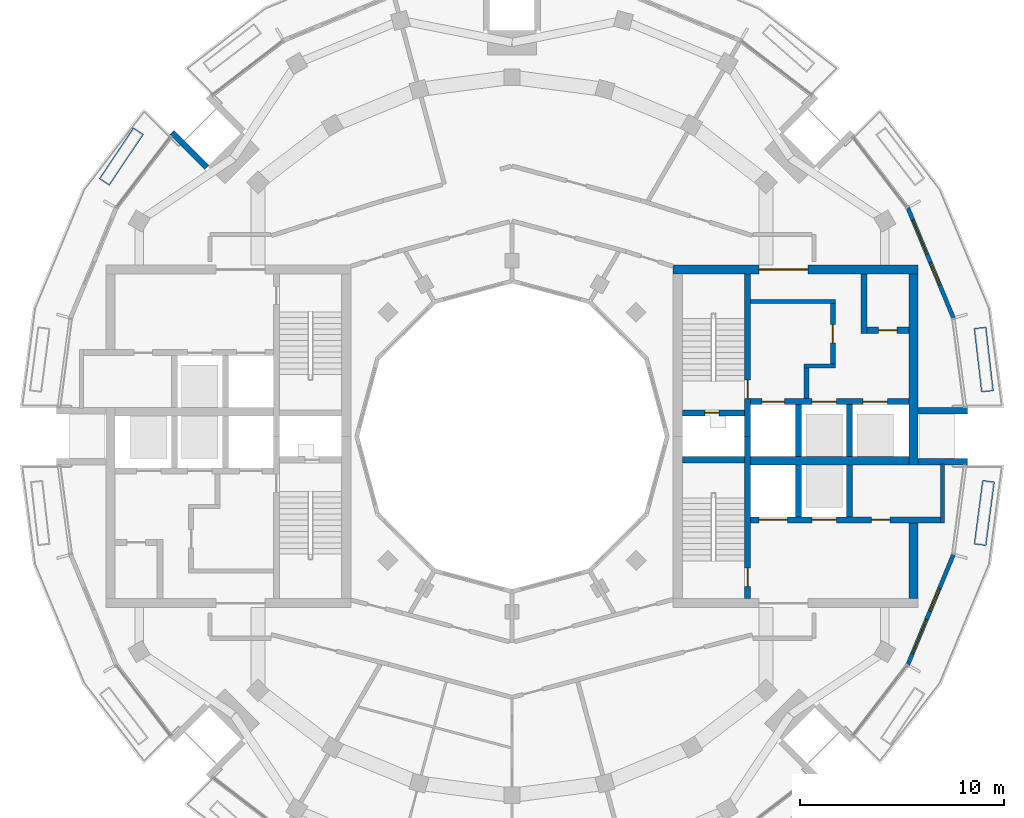
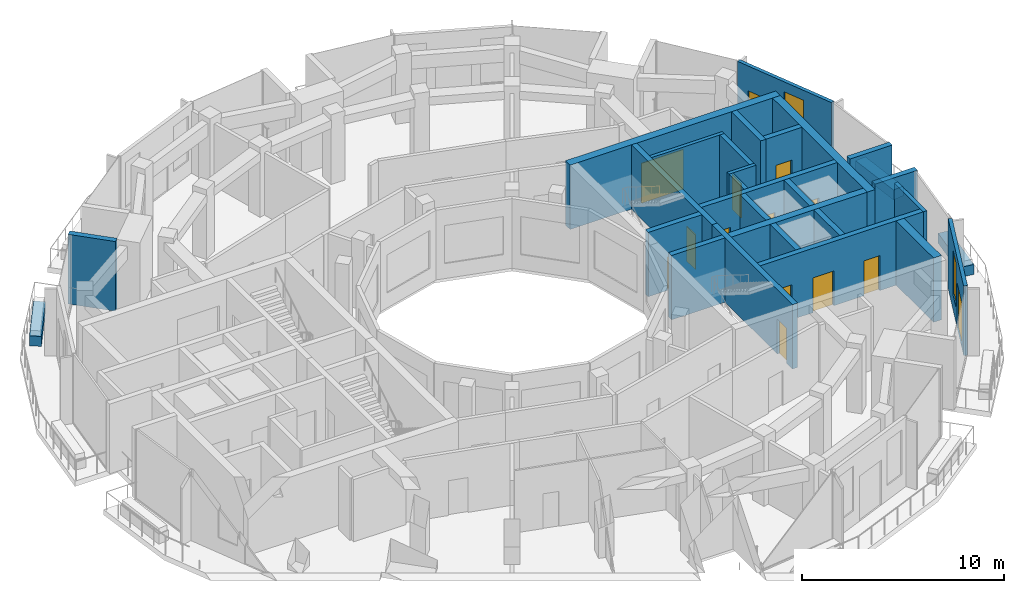
# One storey, part 11 of 16: 29 walls, 14 doors, 2 windows, 16 openings.
"""IFC4 building model written with IfcOpenShell, lengths in metres."""

from ifc_helpers import new_model, si_unit, direction, frame, frame_2d, origin, place, context, subcontext, project, spatial, rectangle, extrude, material, layer, layer_set, type_object, element, fill, save


model = new_model("IFC4")

# Units and contexts
model_context = context("Model", 3, precision=1e-05, world=origin(), true_north=direction((0.0, 1.0)))
body_context = subcontext(model_context, "Body", "Model", "MODEL_VIEW")
ifc_project = project(units=[si_unit("LENGTHUNIT", "METRE"), si_unit("AREAUNIT", "SQUARE_METRE"), si_unit("VOLUMEUNIT", "CUBIC_METRE"), si_unit("PLANEANGLEUNIT", "RADIAN"), si_unit("MASSUNIT", "GRAM", prefix="KILO")], contexts=[model_context])

# Site, building, storey
site_placement = place(None, origin())
site = spatial("IfcSite", under=ifc_project, at=site_placement, CompositionType="ELEMENT")
building_placement = place(site_placement, origin())
building = spatial("IfcBuilding", under=site, at=building_placement, Name="Torre Brocal", CompositionType="ELEMENT")
storey_placement = place(building_placement, frame((0.0, 0.0, 292.5)))
storey = spatial("IfcBuildingStorey", under=building, at=storey_placement, Name="L67", CompositionType="ELEMENT", Elevation=292.5)

# Walls
ifc_material_1 = material(Name="Masonry block", Category="masonry")
ifc_layer_1 = layer(ifc_material_1, 0.199951171875)
ifc_layer_set_1 = layer_set([ifc_layer_1], Name="Masonry block")
wall_type_1 = type_object("IfcWallType", Name="CORE PARTITION 200", PredefinedType="PARTITIONING", material=ifc_layer_set_1)
wall_1_placement = place(storey_placement, frame((101.10009765625, 70.75, 0.0), z_axis=(0.0, 0.0, 1.0), x_axis=(0.0, 1.0, 0.0)))
element("IfcWall", 1, at=wall_1_placement, inside=storey, type_object=wall_type_1, Name="Wall CP200", PredefinedType="PARTITIONING", context=body_context, shape_type="SweptSolid", body=[
    extrude(rectangle(XDim=2.89990234375, YDim=0.199951171875, at=frame_2d((1.449951171875, 0.0))), origin(), (0.0, 0.0, 1.0), 3.8798828125),
])
ifc_material_2 = material(Name="Concrete C50", Category="concrete")
ifc_layer_2 = layer(ifc_material_2, 0.199951171875)
ifc_layer_set_2 = layer_set([ifc_layer_2], Name="Concrete C50")
wall_type_2 = type_object("IfcWallType", Name="CORE WALL 200 C50", PredefinedType="SHEAR", material=ifc_layer_set_2)
wall_2_placement = place(storey_placement, frame((91.699951171875, 81.60009765625, 0.0), z_axis=(0.0, 0.0, 1.0), x_axis=(1.0, 0.0, 0.0)))
element("IfcWall", 2, at=wall_2_placement, inside=storey, type_object=wall_type_2, Name="Wall CW200-50", PredefinedType="SHEAR", context=body_context, shape_type="SweptSolid", body=[
    extrude(rectangle(XDim=4.150146484375, YDim=0.199951171875, at=frame_2d((2.0751953125, 0.0))), origin(), (0.0, 0.0, 1.0), 3.8798828125),
])
wall_3_placement = place(storey_placement, frame((94.300048828125, 78.449951171875, 0.0), z_axis=(0.0, 0.0, 1.0), x_axis=(1.0, 0.0, 0.0)))
element("IfcWall", 3, at=wall_3_placement, inside=storey, type_object=wall_type_2, Name="Wall CW200-50", PredefinedType="SHEAR", context=body_context, shape_type="SweptSolid", body=[
    extrude(rectangle(XDim=1.550048828125, YDim=0.199951171875, at=frame_2d((0.77490234375, 0.0))), origin(), (0.0, 0.0, 1.0), 3.8798828125),
])

# Wall, opening, door
ifc_material_3 = material(Name="Concrete C50", Category="concrete")
ifc_layer_3 = layer(ifc_material_3, 0.25)
ifc_layer_set_3 = layer_set([ifc_layer_3], Name="Concrete C50")
wall_type_3 = type_object("IfcWallType", Name="CORE WALL 250 C50", PredefinedType="SHEAR", material=ifc_layer_set_3)
wall_4_placement = place(storey_placement, frame((95.72509765625, 78.550048828125, 0.0), z_axis=(0.0, 0.0, 1.0), x_axis=(0.0, 1.0, 0.0)))
wall_4 = element("IfcWall", 4, at=wall_4_placement, inside=storey, type_object=wall_type_3, Name="Wall CW250-50", PredefinedType="SHEAR", context=body_context, shape_type="SweptSolid", body=[
    extrude(rectangle(XDim=2.949951171875, YDim=0.25, at=frame_2d((1.47509765625, 0.0))), origin(), (0.0, 0.0, 1.0), 3.8798828125),
])
opening_1_placement = place(wall_4_placement, frame((1.02490234375, 0.0, 0.0)))
opening_1 = element("IfcOpeningElement", 5, at=opening_1_placement, cuts=wall_4, Name="Opening E-D19", PredefinedType="OPENING", context=body_context, shape_type="SweptSolid", body=[
    extrude(rectangle(XDim=0.89990234375, YDim=2.10009765625, at=frame_2d((0.449951171875, 1.050048828125))), frame((0.0, 0.135009765625, 0.0), z_axis=(0.0, -1.0, 0.0), x_axis=(1.0, 0.0, 0.0)), (0.0, 0.0, 1.0), 0.27001953125),
])
ifc_material_4 = material(Name="Steel A653", Category="steel")
door_type_1 = type_object("IfcDoorType", Name="LOBBY DOOR FD120 900X2100", OperationType="SINGLE_SWING_RIGHT", PredefinedType="DOOR", material=ifc_material_4)
door_1_placement = place(opening_1_placement, origin())
door_1 = element("IfcDoor", 6, at=door_1_placement, inside=storey, type_object=door_type_1, Name="Door E-D19", OperationType="SINGLE_SWING_LEFT", OverallHeight=2.10009765625, OverallWidth=0.89990234375, PredefinedType="DOOR", context=body_context, shape_type="SweptSolid", body=[
    extrude(rectangle(XDim=0.89990234375, YDim=2.10009765625, at=frame_2d((0.449951171875, 1.050048828125))), frame((0.0, 0.02490234375, 0.0), z_axis=(0.0, -1.0, 0.0), x_axis=(1.0, 0.0, 0.0)), (0.0, 0.0, 1.0), 0.050048828125),
])
fill(opening_1, door_1)

# Wall
wall_5_placement = place(storey_placement, frame((94.425048828125, 76.85009765625, 0.0), z_axis=(0.0, 0.0, 1.0), x_axis=(0.0, 1.0, 0.0)))
element("IfcWall", 7, at=wall_5_placement, inside=storey, type_object=wall_type_3, Name="Wall CW250-50", PredefinedType="SHEAR", context=body_context, shape_type="SweptSolid", body=[
    extrude(rectangle(XDim=1.5, YDim=0.25, at=frame_2d((0.75, 0.0))), origin(), (0.0, 0.0, 1.0), 3.8798828125),
])

# Wall, opening, door
ifc_material_5 = material(Name="Concrete C50", Category="concrete")
ifc_layer_4 = layer(ifc_material_5, 0.300048828125)
ifc_layer_set_4 = layer_set([ifc_layer_4], Name="Concrete C50")
wall_type_4 = type_object("IfcWallType", Name="CORE WALL 300 C50", PredefinedType="SHEAR", material=ifc_layer_set_4)
wall_6_placement = place(storey_placement, frame((91.550048828125, 75.0, 0.0), z_axis=(0.0, 0.0, 1.0), x_axis=(0.0, 1.0, 0.0)))
wall_6 = element("IfcWall", 8, at=wall_6_placement, inside=storey, type_object=wall_type_4, Name="Wall CW300-50", PredefinedType="SHEAR", context=body_context, shape_type="SweptSolid", body=[
    extrude(rectangle(XDim=7.949951171875, YDim=0.300048828125, at=frame_2d((3.97509765625, 0.0))), origin(), (0.0, 0.0, 1.0), 3.8798828125),
])
opening_2_placement = place(wall_6_placement, frame((1.85009765625, 0.0, 0.0)))
opening_2 = element("IfcOpeningElement", 9, at=opening_2_placement, cuts=wall_6, Name="Opening E-D02", PredefinedType="OPENING", context=body_context, shape_type="SweptSolid", body=[
    extrude(rectangle(XDim=0.89990234375, YDim=2.10009765625, at=frame_2d((0.449951171875, 1.050048828125))), frame((0.0, 0.159912109375, 0.0), z_axis=(0.0, -1.0, 0.0), x_axis=(1.0, 0.0, 0.0)), (0.0, 0.0, 1.0), 0.320068359375),
])
ifc_material_6 = material(Name="Steel A653", Category="steel")
door_type_2 = type_object("IfcDoorType", Name="STAIR DOOR FD120 900X2100", OperationType="SINGLE_SWING_RIGHT", PredefinedType="DOOR", material=ifc_material_6)
door_2_placement = place(opening_2_placement, origin())
door_2 = element("IfcDoor", 10, at=door_2_placement, inside=storey, type_object=door_type_2, Name="Door E-D02", OperationType="SINGLE_SWING_LEFT", OverallHeight=2.10009765625, OverallWidth=0.89990234375, PredefinedType="DOOR", context=body_context, shape_type="SweptSolid", body=[
    extrude(rectangle(XDim=0.89990234375, YDim=2.10009765625, at=frame_2d((0.449951171875, 1.050048828125))), frame((0.0, 0.02490234375, 0.0), z_axis=(0.0, -1.0, 0.0), x_axis=(1.0, 0.0, 0.0)), (0.0, 0.0, 1.0), 0.050048828125),
])
fill(opening_2, door_2)

wall_7_placement = place(storey_placement, frame((91.550048828125, 67.050048828125, 0.0), z_axis=(0.0, 0.0, 1.0), x_axis=(0.0, 1.0, 0.0)))
wall_7 = element("IfcWall", 11, at=wall_7_placement, inside=storey, type_object=wall_type_4, Name="Wall CW300-50", PredefinedType="SHEAR", context=body_context, shape_type="SweptSolid", body=[
    extrude(rectangle(XDim=7.949951171875, YDim=0.300048828125, at=frame_2d((3.97509765625, 0.0))), origin(), (0.0, 0.0, 1.0), 3.8798828125),
])
opening_3_placement = place(wall_7_placement, frame((0.60009765625, 0.0, 0.0)))
opening_3 = element("IfcOpeningElement", 12, at=opening_3_placement, cuts=wall_7, Name="Opening E-D03", PredefinedType="OPENING", context=body_context, shape_type="SweptSolid", body=[
    extrude(rectangle(XDim=0.89990234375, YDim=2.10009765625, at=frame_2d((0.449951171875, 1.050048828125))), frame((0.0, 0.159912109375, 0.0), z_axis=(0.0, -1.0, 0.0), x_axis=(1.0, 0.0, 0.0)), (0.0, 0.0, 1.0), 0.320068359375),
])
door_3_placement = place(opening_3_placement, origin())
door_3 = element("IfcDoor", 13, at=door_3_placement, inside=storey, type_object=door_type_2, Name="Door E-D03", OperationType="SINGLE_SWING_LEFT", OverallHeight=2.10009765625, OverallWidth=0.89990234375, PredefinedType="DOOR", context=body_context, shape_type="SweptSolid", body=[
    extrude(rectangle(XDim=0.89990234375, YDim=2.10009765625, at=frame_2d((0.449951171875, 1.050048828125))), frame((0.0, 0.02490234375, 0.0), z_axis=(0.0, -1.0, 0.0), x_axis=(1.0, 0.0, 0.0)), (0.0, 0.0, 1.0), 0.050048828125),
])
fill(opening_3, door_3)

wall_8_placement = place(storey_placement, frame((88.35009765625, 76.14990234375, 0.0), z_axis=(0.0, 0.0, 1.0), x_axis=(1.0, 0.0, 0.0)))
wall_8 = element("IfcWall", 14, at=wall_8_placement, inside=storey, type_object=wall_type_4, Name="Wall CW300-50", PredefinedType="SHEAR", context=body_context, shape_type="SweptSolid", body=[
    extrude(rectangle(XDim=3.0498046875, YDim=0.300048828125, at=frame_2d((1.52490234375, 0.0))), origin(), (0.0, 0.0, 1.0), 3.8798828125),
])
opening_4_placement = place(wall_8_placement, frame((1.10009765625, 0.0, 0.0)))
opening_4 = element("IfcOpeningElement", 15, at=opening_4_placement, cuts=wall_8, Name="Opening E-D01", PredefinedType="OPENING", context=body_context, shape_type="SweptSolid", body=[
    extrude(rectangle(XDim=0.699951171875, YDim=2.0, at=frame_2d((0.35009765625, 1.0))), frame((0.0, 0.159912109375, 0.0), z_axis=(0.0, -1.0, 0.0), x_axis=(1.0, 0.0, 0.0)), (0.0, 0.0, 1.0), 0.320068359375),
])
ifc_material_7 = material(Name="Steel A653", Category="steel")
door_type_3 = type_object("IfcDoorType", Name="RISER DOOR FD120 700X2000", OperationType="SINGLE_SWING_LEFT", PredefinedType="DOOR", material=ifc_material_7)
door_4_placement = place(opening_4_placement, frame((0.699951171875, 0.0, 0.0), z_axis=(0.0, 0.0, 1.0), x_axis=(-1.0, 0.0, 0.0)))
door_4 = element("IfcDoor", 16, at=door_4_placement, inside=storey, type_object=door_type_3, Name="Door E-D01", OperationType="SINGLE_SWING_RIGHT", OverallHeight=2.0, OverallWidth=0.699951171875, PredefinedType="DOOR", context=body_context, shape_type="SweptSolid", body=[
    extrude(rectangle(XDim=0.699951171875, YDim=2.0, at=frame_2d((0.35009765625, 1.0))), frame((0.0, 0.02490234375, 0.0), z_axis=(0.0, -1.0, 0.0), x_axis=(1.0, 0.0, 0.0)), (0.0, 0.0, 1.0), 0.050048828125),
])
fill(opening_4, door_4)

# Wall
wall_9_placement = place(storey_placement, frame((88.35009765625, 73.85009765625, 0.0), z_axis=(0.0, 0.0, 1.0), x_axis=(1.0, 0.0, 0.0)))
element("IfcWall", 17, at=wall_9_placement, inside=storey, type_object=wall_type_4, Name="Wall CW300-50", PredefinedType="SHEAR", context=body_context, shape_type="SweptSolid", body=[
    extrude(rectangle(XDim=3.0498046875, YDim=0.300048828125, at=frame_2d((1.52490234375, 0.0))), origin(), (0.0, 0.0, 1.0), 3.8798828125),
])

# Wall, openings, doors
wall_10_placement = place(storey_placement, frame((91.699951171875, 76.699951171875, 0.0), z_axis=(0.0, 0.0, 1.0), x_axis=(1.0, 0.0, 0.0)))
wall_10 = element("IfcWall", 18, at=wall_10_placement, inside=storey, type_object=wall_type_4, Name="Wall CW300-50", PredefinedType="SHEAR", context=body_context, shape_type="SweptSolid", body=[
    extrude(rectangle(XDim=7.75, YDim=0.300048828125, at=frame_2d((3.875, 0.0))), origin(), (0.0, 0.0, 1.0), 3.8798828125),
])
opening_5_placement = place(wall_10_placement, frame((0.550048828125, 0.0, 0.0)))
opening_5 = element("IfcOpeningElement", 19, at=opening_5_placement, cuts=wall_10, Name="Opening LD", PredefinedType="OPENING", context=body_context, shape_type="SweptSolid", body=[
    extrude(rectangle(XDim=1.10009765625, YDim=2.10009765625, at=frame_2d((0.550048828125, 1.050048828125))), frame((0.0, 0.159912109375, 0.0), z_axis=(0.0, -1.0, 0.0), x_axis=(1.0, 0.0, 0.0)), (0.0, 0.0, 1.0), 0.320068359375),
])
opening_6_placement = place(wall_10_placement, frame((3.0, 0.0, 0.0)))
opening_6 = element("IfcOpeningElement", 20, at=opening_6_placement, cuts=wall_10, Name="Opening LD12", PredefinedType="OPENING", context=body_context, shape_type="SweptSolid", body=[
    extrude(rectangle(XDim=1.199951171875, YDim=2.10009765625, at=frame_2d((0.60009765625, 1.050048828125))), frame((0.0, 0.159912109375, 0.0), z_axis=(0.0, -1.0, 0.0), x_axis=(1.0, 0.0, 0.0)), (0.0, 0.0, 1.0), 0.320068359375),
])
opening_7_placement = place(wall_10_placement, frame((5.5, 0.0, 0.0)))
opening_7 = element("IfcOpeningElement", 21, at=opening_7_placement, cuts=wall_10, Name="Opening LD12", PredefinedType="OPENING", context=body_context, shape_type="SweptSolid", body=[
    extrude(rectangle(XDim=1.199951171875, YDim=2.10009765625, at=frame_2d((0.60009765625, 1.050048828125))), frame((0.0, 0.159912109375, 0.0), z_axis=(0.0, -1.0, 0.0), x_axis=(1.0, 0.0, 0.0)), (0.0, 0.0, 1.0), 0.320068359375),
])
ifc_material_8 = material(Name="Stainless steel AISI 316", Category="steel")
door_type_4 = type_object("IfcDoorType", Name="LIFT LANDING DOOR 1100X2100", OperationType="DOUBLE_DOOR_SLIDING", PredefinedType="DOOR", material=ifc_material_8)
door_5_placement = place(opening_5_placement, origin())
door_5 = element("IfcDoor", 22, at=door_5_placement, inside=storey, type_object=door_type_4, Name="Door LD", OperationType="DOUBLE_DOOR_SLIDING", OverallHeight=2.10009765625, OverallWidth=1.10009765625, PredefinedType="DOOR", context=body_context, shape_type="SweptSolid", body=[
    extrude(rectangle(XDim=1.10009765625, YDim=2.10009765625, at=frame_2d((0.550048828125, 1.050048828125))), frame((0.0, 0.02490234375, 0.0), z_axis=(0.0, -1.0, 0.0), x_axis=(1.0, 0.0, 0.0)), (0.0, 0.0, 1.0), 0.050048828125),
])
fill(opening_5, door_5)
ifc_material_9 = material(Name="Stainless steel AISI 316", Category="steel")
door_type_5 = type_object("IfcDoorType", Name="LIFT LANDING DOOR 1200X2100", OperationType="DOUBLE_DOOR_SLIDING", PredefinedType="DOOR", material=ifc_material_9)
door_6_placement = place(opening_6_placement, origin())
door_6 = element("IfcDoor", 23, at=door_6_placement, inside=storey, type_object=door_type_5, Name="Door LD12", OperationType="DOUBLE_DOOR_SLIDING", OverallHeight=2.10009765625, OverallWidth=1.199951171875, PredefinedType="DOOR", context=body_context, shape_type="SweptSolid", body=[
    extrude(rectangle(XDim=1.199951171875, YDim=2.10009765625, at=frame_2d((0.60009765625, 1.050048828125))), frame((0.0, 0.02490234375, 0.0), z_axis=(0.0, -1.0, 0.0), x_axis=(1.0, 0.0, 0.0)), (0.0, 0.0, 1.0), 0.050048828125),
])
fill(opening_6, door_6)
door_7_placement = place(opening_7_placement, origin())
door_7 = element("IfcDoor", 24, at=door_7_placement, inside=storey, type_object=door_type_5, Name="Door LD12", OperationType="DOUBLE_DOOR_SLIDING", OverallHeight=2.10009765625, OverallWidth=1.199951171875, PredefinedType="DOOR", context=body_context, shape_type="SweptSolid", body=[
    extrude(rectangle(XDim=1.199951171875, YDim=2.10009765625, at=frame_2d((0.60009765625, 1.050048828125))), frame((0.0, 0.02490234375, 0.0), z_axis=(0.0, -1.0, 0.0), x_axis=(1.0, 0.0, 0.0)), (0.0, 0.0, 1.0), 0.050048828125),
])
fill(opening_7, door_7)

wall_11_placement = place(storey_placement, frame((91.699951171875, 70.89990234375, 0.0), z_axis=(0.0, 0.0, 1.0), x_axis=(1.0, 0.0, 0.0)))
wall_11 = element("IfcWall", 25, at=wall_11_placement, inside=storey, type_object=wall_type_4, Name="Wall CW300-50", PredefinedType="SHEAR", context=body_context, shape_type="SweptSolid", body=[
    extrude(rectangle(XDim=9.300048828125, YDim=0.300048828125, at=frame_2d((4.64990234375, 0.0))), origin(), (0.0, 0.0, 1.0), 3.8798828125),
])
opening_8_placement = place(wall_11_placement, frame((0.39990234375, 0.0, 0.0)))
opening_8 = element("IfcOpeningElement", 26, at=opening_8_placement, cuts=wall_11, Name="Opening LD14", PredefinedType="OPENING", context=body_context, shape_type="SweptSolid", body=[
    extrude(rectangle(XDim=1.39990234375, YDim=2.10009765625, at=frame_2d((0.699951171875, 1.050048828125))), frame((0.0, 0.159912109375, 0.0), z_axis=(0.0, -1.0, 0.0), x_axis=(1.0, 0.0, 0.0)), (0.0, 0.0, 1.0), 0.320068359375),
])
opening_9_placement = place(wall_11_placement, frame((3.0, 0.0, 0.0)))
opening_9 = element("IfcOpeningElement", 27, at=opening_9_placement, cuts=wall_11, Name="Opening LD12", PredefinedType="OPENING", context=body_context, shape_type="SweptSolid", body=[
    extrude(rectangle(XDim=1.199951171875, YDim=2.10009765625, at=frame_2d((0.60009765625, 1.050048828125))), frame((0.0, 0.159912109375, 0.0), z_axis=(0.0, -1.0, 0.0), x_axis=(1.0, 0.0, 0.0)), (0.0, 0.0, 1.0), 0.320068359375),
])
opening_10_placement = place(wall_11_placement, frame((5.925048828125, 0.0, 0.0)))
opening_10 = element("IfcOpeningElement", 28, at=opening_10_placement, cuts=wall_11, Name="Opening E-D04", PredefinedType="OPENING", context=body_context, shape_type="SweptSolid", body=[
    extrude(rectangle(XDim=0.89990234375, YDim=2.10009765625, at=frame_2d((0.449951171875, 1.050048828125))), frame((0.0, 0.159912109375, 0.0), z_axis=(0.0, -1.0, 0.0), x_axis=(1.0, 0.0, 0.0)), (0.0, 0.0, 1.0), 0.320068359375),
])
door_8_placement = place(opening_9_placement, origin())
door_8 = element("IfcDoor", 29, at=door_8_placement, inside=storey, type_object=door_type_5, Name="Door LD12", OperationType="DOUBLE_DOOR_SLIDING", OverallHeight=2.10009765625, OverallWidth=1.199951171875, PredefinedType="DOOR", context=body_context, shape_type="SweptSolid", body=[
    extrude(rectangle(XDim=1.199951171875, YDim=2.10009765625, at=frame_2d((0.60009765625, 1.050048828125))), frame((0.0, 0.02490234375, 0.0), z_axis=(0.0, -1.0, 0.0), x_axis=(1.0, 0.0, 0.0)), (0.0, 0.0, 1.0), 0.050048828125),
])
fill(opening_9, door_8)
ifc_material_10 = material(Name="Stainless steel AISI 316", Category="steel")
door_type_6 = type_object("IfcDoorType", Name="LIFT LANDING DOOR 1400X2100", OperationType="DOUBLE_DOOR_SLIDING", PredefinedType="DOOR", material=ifc_material_10)
door_9_placement = place(opening_8_placement, origin())
door_9 = element("IfcDoor", 30, at=door_9_placement, inside=storey, type_object=door_type_6, Name="Door LD14", OperationType="DOUBLE_DOOR_SLIDING", OverallHeight=2.10009765625, OverallWidth=1.39990234375, PredefinedType="DOOR", context=body_context, shape_type="SweptSolid", body=[
    extrude(rectangle(XDim=1.39990234375, YDim=2.10009765625, at=frame_2d((0.699951171875, 1.050048828125))), frame((0.0, 0.02490234375, 0.0), z_axis=(0.0, -1.0, 0.0), x_axis=(1.0, 0.0, 0.0)), (0.0, 0.0, 1.0), 0.050048828125),
])
fill(opening_8, door_9)
ifc_material_11 = material(Name="Steel A653", Category="steel")
door_type_7 = type_object("IfcDoorType", Name="ROOM DOOR FD30S 900X2100", OperationType="SINGLE_SWING_LEFT", PredefinedType="DOOR", material=ifc_material_11)
door_10_placement = place(opening_10_placement, origin())
door_10 = element("IfcDoor", 31, at=door_10_placement, inside=storey, type_object=door_type_7, Name="Door E-D04", OperationType="SINGLE_SWING_LEFT", OverallHeight=2.10009765625, OverallWidth=0.89990234375, PredefinedType="DOOR", context=body_context, shape_type="SweptSolid", body=[
    extrude(rectangle(XDim=0.89990234375, YDim=2.10009765625, at=frame_2d((0.449951171875, 1.050048828125))), frame((0.0, 0.02490234375, 0.0), z_axis=(0.0, -1.0, 0.0), x_axis=(1.0, 0.0, 0.0)), (0.0, 0.0, 1.0), 0.050048828125),
])
fill(opening_10, door_10)

# Walls
for number, where, z_axis, x_axis, name in (
    (32, (94.050048828125, 74.0, 0.0), (0.0, 0.0, 1.0), (0.0, 1.0, 0.0), "Wall CW300-50"),
    (33, (96.550048828125, 74.0, 0.0), (0.0, 0.0, 1.0), (0.0, 1.0, 0.0), "Wall CW300-50"),
    (34, (94.050048828125, 71.050048828125, 0.0), (0.0, 0.0, 1.0), (0.0, 1.0, 0.0), "Wall CW300-50"),
    (35, (96.550048828125, 71.050048828125, 0.0), (0.0, 0.0, 1.0), (0.0, 1.0, 0.0), "Wall CW300-50"),
):
    element("IfcWall", number, at=place(storey_placement, frame(where, z_axis=z_axis, x_axis=x_axis)), inside=storey, type_object=wall_type_4, Name=name, PredefinedType="SHEAR", context=body_context, shape_type="SweptSolid", body=[
        extrude(rectangle(XDim=2.550048828125, YDim=0.300048828125, at=frame_2d((1.27490234375, 0.0))), origin(), (0.0, 0.0, 1.0), 3.8798828125),
    ])
wall_12_placement = place(storey_placement, frame((97.25, 80.050048828125, 0.0), z_axis=(0.0, 0.0, 1.0), x_axis=(0.0, 1.0, 0.0)))
element("IfcWall", 36, at=wall_12_placement, inside=storey, type_object=wall_type_4, Name="Wall CW300-50", PredefinedType="SHEAR", context=body_context, shape_type="SweptSolid", body=[
    extrude(rectangle(XDim=2.89990234375, YDim=0.300048828125, at=frame_2d((1.449951171875, 0.0))), origin(), (0.0, 0.0, 1.0), 3.8798828125),
])

# Wall, opening, door
wall_13_placement = place(storey_placement, frame((97.39990234375, 80.199951171875, 0.0), z_axis=(0.0, 0.0, 1.0), x_axis=(1.0, 0.0, 0.0)))
wall_13 = element("IfcWall", 37, at=wall_13_placement, inside=storey, type_object=wall_type_4, Name="Wall CW300-50", PredefinedType="SHEAR", context=body_context, shape_type="SweptSolid", body=[
    extrude(rectangle(XDim=2.050048828125, YDim=0.300048828125, at=frame_2d((1.02490234375, 0.0))), origin(), (0.0, 0.0, 1.0), 3.8798828125),
])
opening_11_placement = place(wall_13_placement, frame((0.574951171875, 0.0, 0.0)))
opening_11 = element("IfcOpeningElement", 38, at=opening_11_placement, cuts=wall_13, Name="Opening E-D06", PredefinedType="OPENING", context=body_context, shape_type="SweptSolid", body=[
    extrude(rectangle(XDim=0.89990234375, YDim=2.10009765625, at=frame_2d((0.449951171875, 1.050048828125))), frame((0.0, 0.159912109375, 0.0), z_axis=(0.0, -1.0, 0.0), x_axis=(1.0, 0.0, 0.0)), (0.0, 0.0, 1.0), 0.320068359375),
])
door_11_placement = place(opening_11_placement, origin())
door_11 = element("IfcDoor", 39, at=door_11_placement, inside=storey, type_object=door_type_7, Name="Door E-D06", OperationType="SINGLE_SWING_RIGHT", OverallHeight=2.10009765625, OverallWidth=0.89990234375, PredefinedType="DOOR", context=body_context, shape_type="SweptSolid", body=[
    extrude(rectangle(XDim=0.89990234375, YDim=2.10009765625, at=frame_2d((0.449951171875, 1.050048828125))), frame((0.0, 0.02490234375, 0.0), z_axis=(0.0, -1.0, 0.0), x_axis=(1.0, 0.0, 0.0)), (0.0, 0.0, 1.0), 0.050048828125),
])
fill(opening_11, door_11)

# Wall
ifc_material_12 = material(Name="Concrete C50", Category="concrete")
ifc_layer_5 = layer(ifc_material_12, 0.39990234375)
ifc_layer_set_5 = layer_set([ifc_layer_5], Name="Concrete C50")
wall_type_5 = type_object("IfcWallType", Name="CORE WALL 400 C50", PredefinedType="SHEAR", material=ifc_layer_set_5)
wall_14_placement = place(storey_placement, frame((91.699951171875, 73.800048828125, 0.0), z_axis=(0.0, 0.0, 1.0), x_axis=(1.0, 0.0, 0.0)))
element("IfcWall", 40, at=wall_14_placement, inside=storey, type_object=wall_type_5, Name="Wall CW400-50", PredefinedType="SHEAR", context=body_context, shape_type="SweptSolid", body=[
    extrude(rectangle(XDim=7.75, YDim=0.39990234375, at=frame_2d((3.875, 0.0))), origin(), (0.0, 0.0, 1.0), 3.8798828125),
])

# Wall, opening, door
ifc_material_13 = material(Name="Concrete C50", Category="concrete")
ifc_layer_6 = layer(ifc_material_13, 0.449951171875)
ifc_layer_set_6 = layer_set([ifc_layer_6], Name="Concrete C50")
wall_type_6 = type_object("IfcWallType", Name="CORE WALL 450 C50", PredefinedType="SHEAR", material=ifc_layer_set_6)
wall_15_placement = place(storey_placement, frame((87.89990234375, 83.175048828125, 0.0), z_axis=(0.0, 0.0, 1.0), x_axis=(1.0, 0.0, 0.0)))
wall_15 = element("IfcWall", 41, at=wall_15_placement, inside=storey, type_object=wall_type_6, Name="Wall CW450-50", PredefinedType="SHEAR", context=body_context, shape_type="SweptSolid", body=[
    extrude(rectangle(XDim=12.0, YDim=0.449951171875, at=frame_2d((6.0, 0.0))), origin(), (0.0, 0.0, 1.0), 3.8798828125),
])
opening_12_placement = place(wall_15_placement, frame((4.199951171875, 0.0, 0.0)))
opening_12 = element("IfcOpeningElement", 42, at=opening_12_placement, cuts=wall_15, Name="Opening E-D24", PredefinedType="OPENING", context=body_context, shape_type="SweptSolid", body=[
    extrude(rectangle(XDim=2.39990234375, YDim=2.39990234375, at=frame_2d((1.199951171875, 1.199951171875))), frame((0.0, 0.23486328125, 0.0), z_axis=(0.0, -1.0, 0.0), x_axis=(1.0, 0.0, 0.0)), (0.0, 0.0, 1.0), 0.469970703125),
])
ifc_material_14 = material(Name="Steel A653", Category="steel")
door_type_8 = type_object("IfcDoorType", Name="DOUBLE FIRE DOOR FD90 2400X2400", OperationType="DOUBLE_DOOR_SINGLE_SWING", PredefinedType="DOOR", material=ifc_material_14)
door_12_placement = place(opening_12_placement, frame((2.39990234375, 0.0, 0.0), z_axis=(0.0, 0.0, 1.0), x_axis=(-1.0, 0.0, 0.0)))
door_12 = element("IfcDoor", 43, at=door_12_placement, inside=storey, type_object=door_type_8, Name="Door E-D24", OperationType="DOUBLE_DOOR_SINGLE_SWING", OverallHeight=2.39990234375, OverallWidth=2.39990234375, PredefinedType="DOOR", context=body_context, shape_type="SweptSolid", body=[
    extrude(rectangle(XDim=2.39990234375, YDim=2.39990234375, at=frame_2d((1.199951171875, 1.199951171875))), frame((0.0, 0.02490234375, 0.0), z_axis=(0.0, -1.0, 0.0), x_axis=(1.0, 0.0, 0.0)), (0.0, 0.0, 1.0), 0.050048828125),
])
fill(opening_12, door_12)

# Walls
wall_16_placement = place(storey_placement, frame((99.675048828125, 73.60009765625, 0.0), z_axis=(0.0, 0.0, 1.0), x_axis=(0.0, 1.0, 0.0)))
element("IfcWall", 44, at=wall_16_placement, inside=storey, type_object=wall_type_6, Name="Wall CW450-50", PredefinedType="SHEAR", context=body_context, shape_type="SweptSolid", body=[
    extrude(rectangle(XDim=9.349853515625, YDim=0.449951171875, at=frame_2d((4.6748046875, 0.0))), origin(), (0.0, 0.0, 1.0), 3.8798828125),
])
wall_17_placement = place(storey_placement, frame((99.675048828125, 67.050048828125, 0.0), z_axis=(0.0, 0.0, 1.0), x_axis=(0.0, 1.0, 0.0)))
element("IfcWall", 45, at=wall_17_placement, inside=storey, type_object=wall_type_6, Name="Wall CW450-50", PredefinedType="SHEAR", context=body_context, shape_type="SweptSolid", body=[
    extrude(rectangle(XDim=3.699951171875, YDim=0.449951171875, at=frame_2d((1.85009765625, 0.0))), origin(), (0.0, 0.0, 1.0), 3.8798828125),
])

# Wall, openings, door, window
ifc_material_15 = material(Name="Concrete C40", Category="concrete")
ifc_layer_7 = layer(ifc_material_15, 0.199951171875)
ifc_layer_set_7 = layer_set([ifc_layer_7], Name="Concrete C40")
wall_type_7 = type_object("IfcWallType", Name="EXTERNAL WALL 200", PredefinedType="NOTDEFINED", material=ifc_layer_set_7)
wall_18_placement = place(storey_placement, frame((101.635986328125, 80.79736328125, 0.0), z_axis=(0.0, 0.0, 1.0), x_axis=(-0.382708254591, 0.923869250418, 0.0)))
wall_18 = element("IfcWall", 46, at=wall_18_placement, inside=storey, type_object=wall_type_7, Name="EXTERNAL WALL", PredefinedType="NOTDEFINED", context=body_context, shape_type="SweptSolid", body=[
    extrude(rectangle(XDim=5.84716796875, YDim=0.199951171875, at=frame_2d((2.923583984375, 0.0))), origin(), (0.0, 0.0, 1.0), 4.199951171875),
])
opening_13_placement = place(wall_18_placement, frame((1.75, 0.0, 0.89990234375)))
opening_13 = element("IfcOpeningElement", 47, at=opening_13_placement, cuts=wall_18, Name="Opening W9", PredefinedType="OPENING", context=body_context, shape_type="SweptSolid", body=[
    extrude(rectangle(XDim=1.199951171875, YDim=2.699951171875, at=frame_2d((0.60009765625, 1.35009765625))), frame((0.0, 0.10986328125, 0.0), z_axis=(0.0, -1.0, 0.0), x_axis=(1.0, 0.0, 0.0)), (0.0, 0.0, 1.0), 0.219970703125),
])
opening_14_placement = place(wall_18_placement, frame((3.39990234375, 0.0, 0.0)))
opening_14 = element("IfcOpeningElement", 48, at=opening_14_placement, cuts=wall_18, Name="Opening L67-E01", PredefinedType="OPENING", context=body_context, shape_type="SweptSolid", body=[
    extrude(rectangle(XDim=1.800048828125, YDim=2.699951171875, at=frame_2d((0.89990234375, 1.35009765625))), frame((0.0, 0.10986328125, 0.0), z_axis=(0.0, -1.0, 0.0), x_axis=(1.0, 0.0, 0.0)), (0.0, 0.0, 1.0), 0.219970703125),
])
ifc_material_16 = material(Name="Aluminium and glass", Category="aluminium")
door_type_9 = type_object("IfcDoorType", Name="PENTHOUSE TERRACE DOUBLE DOOR 1800X2700", OperationType="DOUBLE_DOOR_SINGLE_SWING", PredefinedType="DOOR", material=ifc_material_16)
door_13_placement = place(opening_14_placement, origin())
door_13 = element("IfcDoor", 49, at=door_13_placement, inside=storey, type_object=door_type_9, Name="DOOR L67-E01", OperationType="DOUBLE_DOOR_SINGLE_SWING", OverallHeight=2.699951171875, OverallWidth=1.800048828125, PredefinedType="DOOR", context=body_context, shape_type="SweptSolid", body=[
    extrude(rectangle(XDim=1.800048828125, YDim=2.699951171875, at=frame_2d((0.89990234375, 1.35009765625))), frame((0.0, 0.02490234375, 0.0), z_axis=(0.0, -1.0, 0.0), x_axis=(1.0, 0.0, 0.0)), (0.0, 0.0, 1.0), 0.050048828125),
])
fill(opening_14, door_13)
ifc_material_17 = material(Name="Aluminium and glass", Category="aluminium")
window_type = type_object("IfcWindowType", Name="PENTHOUSE TERRACE WINDOW 1200X2700", PartitioningType="SINGLE_PANEL", PredefinedType="WINDOW", material=ifc_material_17)
window_1_placement = place(opening_13_placement, origin())
window_1 = element("IfcWindow", 50, at=window_1_placement, inside=storey, type_object=window_type, Name="PENTHOUSE TERRACE WINDOW 1200X2700", OverallHeight=2.699951171875, OverallWidth=1.199951171875, PartitioningType="SINGLE_PANEL", PredefinedType="WINDOW", context=body_context, shape_type="SweptSolid", body=[
    extrude(rectangle(XDim=1.199951171875, YDim=2.699951171875, at=frame_2d((0.60009765625, 1.35009765625))), frame((0.0, 0.030029296875, 0.0), z_axis=(0.0, -1.0, 0.0), x_axis=(1.0, 0.0, 0.0)), (0.0, 0.0, 1.0), 0.06005859375),
])
fill(opening_13, window_1)

wall_19_placement = place(storey_placement, frame((99.398193359375, 63.800537109375, 0.0), z_axis=(0.0, 0.0, 1.0), x_axis=(0.382708254591, 0.923869250418, 0.0)))
wall_19 = element("IfcWall", 51, at=wall_19_placement, inside=storey, type_object=wall_type_7, Name="EXTERNAL WALL", PredefinedType="NOTDEFINED", context=body_context, shape_type="SweptSolid", body=[
    extrude(rectangle(XDim=5.84716796875, YDim=0.199951171875, at=frame_2d((2.923583984375, 0.0))), origin(), (0.0, 0.0, 1.0), 4.199951171875),
])
opening_15_placement = place(wall_19_placement, frame((0.60009765625, 0.0, 0.0)))
opening_15 = element("IfcOpeningElement", 52, at=opening_15_placement, cuts=wall_19, Name="Opening L67-E08", PredefinedType="OPENING", context=body_context, shape_type="SweptSolid", body=[
    extrude(rectangle(XDim=1.800048828125, YDim=2.699951171875, at=frame_2d((0.89990234375, 1.35009765625))), frame((0.0, 0.10986328125, 0.0), z_axis=(0.0, -1.0, 0.0), x_axis=(1.0, 0.0, 0.0)), (0.0, 0.0, 1.0), 0.219970703125),
])
opening_16_placement = place(wall_19_placement, frame((2.85009765625, 0.0, 0.89990234375)))
opening_16 = element("IfcOpeningElement", 53, at=opening_16_placement, cuts=wall_19, Name="Opening W9", PredefinedType="OPENING", context=body_context, shape_type="SweptSolid", body=[
    extrude(rectangle(XDim=1.199951171875, YDim=2.699951171875, at=frame_2d((0.60009765625, 1.35009765625))), frame((0.0, 0.10986328125, 0.0), z_axis=(0.0, -1.0, 0.0), x_axis=(1.0, 0.0, 0.0)), (0.0, 0.0, 1.0), 0.219970703125),
])
door_14_placement = place(opening_15_placement, origin())
door_14 = element("IfcDoor", 54, at=door_14_placement, inside=storey, type_object=door_type_9, Name="DOOR L67-E08", OperationType="DOUBLE_DOOR_SINGLE_SWING", OverallHeight=2.699951171875, OverallWidth=1.800048828125, PredefinedType="DOOR", context=body_context, shape_type="SweptSolid", body=[
    extrude(rectangle(XDim=1.800048828125, YDim=2.699951171875, at=frame_2d((0.89990234375, 1.35009765625))), frame((0.0, 0.02490234375, 0.0), z_axis=(0.0, -1.0, 0.0), x_axis=(1.0, 0.0, 0.0)), (0.0, 0.0, 1.0), 0.050048828125),
])
fill(opening_15, door_14)
window_2_placement = place(opening_16_placement, origin())
window_2 = element("IfcWindow", 55, at=window_2_placement, inside=storey, type_object=window_type, Name="PENTHOUSE TERRACE WINDOW 1200X2700", OverallHeight=2.699951171875, OverallWidth=1.199951171875, PartitioningType="SINGLE_PANEL", PredefinedType="WINDOW", context=body_context, shape_type="SweptSolid", body=[
    extrude(rectangle(XDim=1.199951171875, YDim=2.699951171875, at=frame_2d((0.60009765625, 1.35009765625))), frame((0.0, 0.030029296875, 0.0), z_axis=(0.0, -1.0, 0.0), x_axis=(1.0, 0.0, 0.0)), (0.0, 0.0, 1.0), 0.06005859375),
])
fill(opening_16, window_2)

# Walls
ifc_material_18 = material(Name="Concrete C50", Category="concrete")
ifc_layer_8 = layer(ifc_material_18, 0.300048828125)
ifc_layer_set_8 = layer_set([ifc_layer_8], Name="Concrete C50")
wall_type_8 = type_object("IfcWallType", Name="NOTCH RETURN WALL 300 C50", PredefinedType="NOTDEFINED", material=ifc_layer_set_8)
for number, where, z_axis, x_axis, name in (
    (56, (99.89990234375, 73.75, 0.0), (0.0, 0.0, 1.0), (1.0, 0.0, 0.0), "NOTCH RETURN WALL"),
    (57, (99.89990234375, 76.25, 0.0), (0.0, 0.0, 1.0), (1.0, 0.0, 0.0), "NOTCH RETURN WALL"),
    (58, (65.044677734375, 88.1875, 0.0), (0.0, 0.0, 1.0), (-0.707106781187, 0.707106781187, 0.0), "NOTCH RETURN WALL"),
):
    element("IfcWall", number, at=place(storey_placement, frame(where, z_axis=z_axis, x_axis=x_axis)), inside=storey, type_object=wall_type_8, Name=name, PredefinedType="NOTDEFINED", context=body_context, shape_type="SweptSolid", body=[
        extrude(rectangle(XDim=2.415771484375, YDim=0.300048828125, at=frame_2d((1.2080078125, 0.0))), origin(), (0.0, 0.0, 1.0), 4.199951171875),
    ])
ifc_material_19 = material(Name="Concrete C35", Category="concrete")
ifc_layer_9 = layer(ifc_material_19, 0.60009765625)
ifc_layer_set_9 = layer_set([ifc_layer_9], Name="Concrete C35")
wall_type_9 = type_object("IfcWallType", Name="PLANTER WALL 600 THICK 600 HIGH", PredefinedType="USERDEFINED", material=ifc_layer_set_9)
wall_20_placement = place(storey_placement, frame((103.3017578125, 77.193115234375, 0.0), z_axis=(0.0, 0.0, 1.0), x_axis=(-0.114271473819, 0.99344956101, 0.0)))
element("IfcWall", 59, at=wall_20_placement, inside=storey, type_object=wall_type_9, Name="PLANTER", ObjectType="PLANTER", PredefinedType="USERDEFINED", context=body_context, shape_type="SweptSolid", body=[
    extrude(rectangle(XDim=3.153564453125, YDim=0.60009765625, at=frame_2d((1.57666015625, 0.0))), origin(), (0.0, 0.0, 1.0), 0.60009765625),
])
wall_21_placement = place(storey_placement, frame((61.69189453125, 89.962890625, 0.0), z_axis=(0.0, 0.0, 1.0), x_axis=(-0.556696289076, -0.830716101763, 0.0)))
element("IfcWall", 60, at=wall_21_placement, inside=storey, type_object=wall_type_9, Name="PLANTER", ObjectType="PLANTER", PredefinedType="USERDEFINED", context=body_context, shape_type="SweptSolid", body=[
    extrude(rectangle(XDim=3.017578125, YDim=0.60009765625, at=frame_2d((1.5087890625, 0.0))), origin(), (0.0, 0.0, 1.0), 0.60009765625),
])
wall_22_placement = place(storey_placement, frame((102.94140625, 69.674072265625, 0.0), z_axis=(0.0, 0.0, 1.0), x_axis=(0.130574429647, 0.991438509602, 0.0)))
element("IfcWall", 61, at=wall_22_placement, inside=storey, type_object=wall_type_9, Name="PLANTER", ObjectType="PLANTER", PredefinedType="USERDEFINED", context=body_context, shape_type="SweptSolid", body=[
    extrude(rectangle(XDim=3.159912109375, YDim=0.60009765625, at=frame_2d((1.580078125, 0.0))), origin(), (0.0, 0.0, 1.0), 0.60009765625),
])

save(model, "model.ifc")
